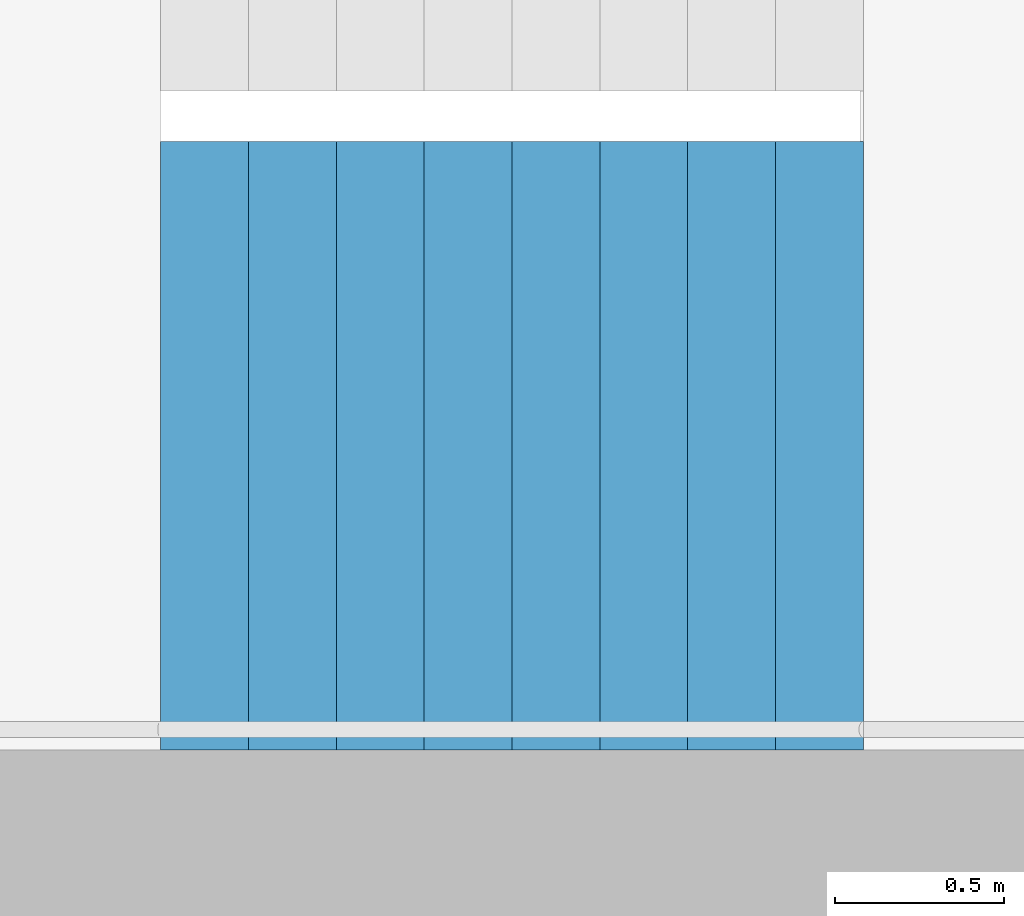
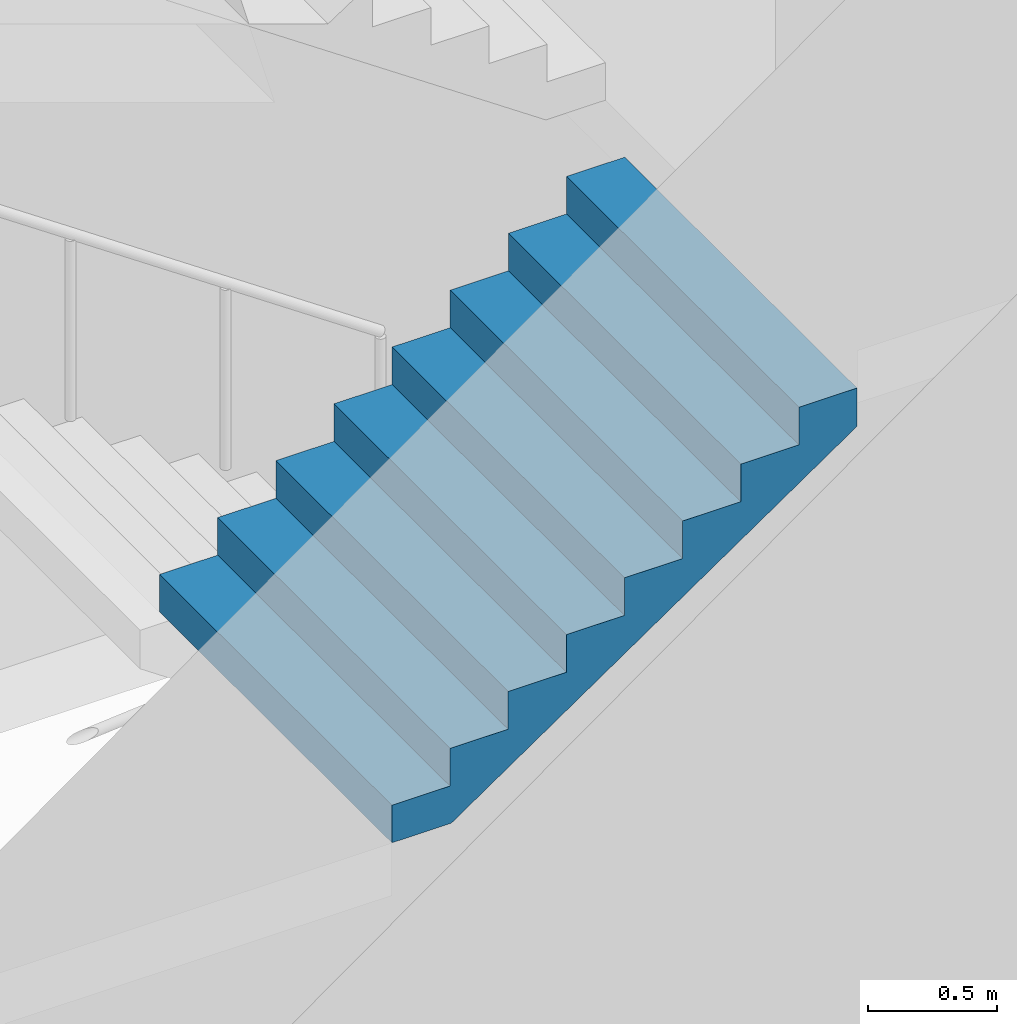
# One storey, part 17 of 44: 1 stair flight, 1 element without a shape of its own.
"""IFC4 building model written with IfcOpenShell, lengths in metres."""

from ifc_helpers import new_model, si_unit, direction, frame, origin, place, context, subcontext, project, spatial, triangles, material, type_object, element, aggregate, save


model = new_model("IFC4")

# Units and contexts
model_context = context("Model", 3, precision=1e-05, world=origin(), true_north=direction((0.0, 1.0)))
body_context = subcontext(model_context, "Body", "Model", "MODEL_VIEW")
ifc_project = project(units=[si_unit("LENGTHUNIT", "METRE"), si_unit("AREAUNIT", "SQUARE_METRE"), si_unit("VOLUMEUNIT", "CUBIC_METRE"), si_unit("PLANEANGLEUNIT", "RADIAN"), si_unit("MASSUNIT", "GRAM", prefix="KILO")], contexts=[model_context])

# Site, building, storey
site_placement = place(None, origin())
site = spatial("IfcSite", under=ifc_project, at=site_placement, CompositionType="ELEMENT")
building_placement = place(site_placement, origin())
building = spatial("IfcBuilding", under=site, at=building_placement, Name="Hakoniwa Tower and Hamabe Station Hall", CompositionType="ELEMENT")
storey_placement = place(building_placement, frame((0.0, 0.0, 69.0)))
storey = spatial("IfcBuildingStorey", under=building, at=storey_placement, Name="L19", CompositionType="ELEMENT", Elevation=69.0)

# Stair, stair flight
ifc_material_1 = material(Name="Concrete C40", Category="concrete")
stair_type = type_object("IfcStairType", Name="ESCAPE STAIR 1800", PredefinedType="HALF_TURN_STAIR", material=ifc_material_1)
stair_placement = place(storey_placement, origin())
stair = element("IfcStair", 1, at=stair_placement, inside=storey, type_object=stair_type, Name="Escape stair ST-2 L19", PredefinedType="HALF_TURN_STAIR")
ifc_material_2 = material(Name="Concrete C40", Category="concrete")
stair_flight_type = type_object("IfcStairFlightType", Name="STAIR FLIGHT 1800", PredefinedType="STRAIGHT", material=ifc_material_2)
stair_flight_placement = place(storey_placement, frame((-25.47998046875, -6.60009765625, 1.60009765625), z_axis=(0.0, 0.0, 1.0), x_axis=(1.0, 0.0, 0.0)))
stair_flight = element("IfcStairFlight", 2, at=stair_flight_placement, type_object=stair_flight_type, Name="ST-2 flight 2", NumberOfRisers=9, NumberOfTreads=8, PredefinedType="STRAIGHT", RiserHeight=0.177777778, TreadLength=0.26, context=body_context, shape_type="Tessellation", body=[
    triangles([(0.0, 0.89990234375, 0.0), (0.260009765625, 0.89990234375, 0.0), (0.265625, 0.89990234375, 0.0), (0.52001953125, 0.89990234375, 0.174072265625), (0.780029296875, 0.89990234375, 0.351806640625), (1.0400390625, 0.89990234375, 0.529541015625), (1.300048828125, 0.89990234375, 0.707275390625), (1.56005859375, 0.89990234375, 0.885009765625), (1.820068359375, 0.89990234375, 1.062744140625), (2.080078125, 0.89990234375, 1.24072265625), (2.080078125, 0.89990234375, 1.422119140625), (1.820068359375, 0.89990234375, 1.422119140625), (1.820068359375, 0.89990234375, 1.244384765625), (1.56005859375, 0.89990234375, 1.244384765625), (1.56005859375, 0.89990234375, 1.066650390625), (1.300048828125, 0.89990234375, 1.066650390625), (1.300048828125, 0.89990234375, 0.888916015625), (1.0400390625, 0.89990234375, 0.888916015625), (1.0400390625, 0.89990234375, 0.711181640625), (0.780029296875, 0.89990234375, 0.711181640625), (0.780029296875, 0.89990234375, 0.533447265625), (0.52001953125, 0.89990234375, 0.533447265625), (0.52001953125, 0.89990234375, 0.35546875), (0.265625, 0.89990234375, 0.35546875), (0.260009765625, 0.89990234375, 0.35546875), (0.260009765625, 0.89990234375, 0.177734375), (0.0, 0.89990234375, 0.177734375), (0.0, 0.06005859375, 0.0), (0.260009765625, 0.06005859375, 0.0), (0.265625, 0.06005859375, 0.0), (0.52001953125, 0.06005859375, 0.174072265625), (0.780029296875, 0.06005859375, 0.351806640625), (1.0400390625, 0.06005859375, 0.529541015625), (1.300048828125, 0.06005859375, 0.707275390625), (1.56005859375, 0.06005859375, 0.885009765625), (1.820068359375, 0.06005859375, 1.062744140625), (2.080078125, 0.06005859375, 1.24072265625), (2.080078125, 0.06005859375, 1.422119140625), (1.820068359375, 0.06005859375, 1.422119140625), (1.820068359375, 0.06005859375, 1.244384765625), (1.56005859375, 0.06005859375, 1.244384765625), (1.56005859375, 0.06005859375, 1.066650390625), (1.300048828125, 0.06005859375, 1.066650390625), (1.300048828125, 0.06005859375, 0.888916015625), (1.0400390625, 0.06005859375, 0.888916015625), (1.0400390625, 0.06005859375, 0.711181640625), (0.780029296875, 0.06005859375, 0.711181640625), (0.780029296875, 0.06005859375, 0.533447265625), (0.52001953125, 0.06005859375, 0.533447265625), (0.52001953125, 0.06005859375, 0.35546875), (0.265625, 0.06005859375, 0.35546875), (0.260009765625, 0.06005859375, 0.35546875), (0.260009765625, 0.06005859375, 0.177734375), (0.0, 0.06005859375, 0.177734375), (0.0, 0.04296875, 0.0), (0.260009765625, 0.04296875, 0.0), (0.265625, 0.04296875, 0.0), (0.52001953125, 0.04296875, 0.174072265625), (0.780029296875, 0.04296875, 0.351806640625), (1.0400390625, 0.04296875, 0.529541015625), (1.300048828125, 0.04296875, 0.707275390625), (1.56005859375, 0.04296875, 0.885009765625), (1.820068359375, 0.04296875, 1.062744140625), (2.080078125, 0.04296875, 1.24072265625), (2.080078125, 0.04296875, 1.422119140625), (1.820068359375, 0.04296875, 1.422119140625), (1.820068359375, 0.04296875, 1.244384765625), (1.56005859375, 0.04296875, 1.244384765625), (1.56005859375, 0.04296875, 1.066650390625), (1.300048828125, 0.04296875, 1.066650390625), (1.300048828125, 0.04296875, 0.888916015625), (1.0400390625, 0.04296875, 0.888916015625), (1.0400390625, 0.04296875, 0.711181640625), (0.780029296875, 0.04296875, 0.711181640625), (0.780029296875, 0.04296875, 0.533447265625), (0.52001953125, 0.04296875, 0.533447265625), (0.52001953125, 0.04296875, 0.35546875), (0.265625, 0.04296875, 0.35546875), (0.260009765625, 0.04296875, 0.35546875), (0.260009765625, 0.04296875, 0.177734375), (0.0, 0.04296875, 0.177734375), (0.0, 0.025634765625, 0.0), (0.260009765625, 0.025634765625, 0.0), (0.265625, 0.025634765625, 0.0), (0.52001953125, 0.025634765625, 0.174072265625), (0.780029296875, 0.025634765625, 0.351806640625), (1.0400390625, 0.025634765625, 0.529541015625), (1.300048828125, 0.025634765625, 0.707275390625), (1.56005859375, 0.025634765625, 0.885009765625), (1.820068359375, 0.025634765625, 1.062744140625), (2.080078125, 0.025634765625, 1.24072265625), (2.080078125, 0.025634765625, 1.422119140625), (1.820068359375, 0.025634765625, 1.422119140625), (1.820068359375, 0.025634765625, 1.244384765625), (1.56005859375, 0.025634765625, 1.244384765625), (1.56005859375, 0.025634765625, 1.066650390625), (1.300048828125, 0.025634765625, 1.066650390625), (1.300048828125, 0.025634765625, 0.888916015625), (1.0400390625, 0.025634765625, 0.888916015625), (1.0400390625, 0.025634765625, 0.711181640625), (0.780029296875, 0.025634765625, 0.711181640625), (0.780029296875, 0.025634765625, 0.533447265625), (0.52001953125, 0.025634765625, 0.533447265625), (0.52001953125, 0.025634765625, 0.35546875), (0.265625, 0.025634765625, 0.35546875), (0.260009765625, 0.025634765625, 0.35546875), (0.260009765625, 0.025634765625, 0.177734375), (0.0, 0.025634765625, 0.177734375), (0.0, 0.008544921875, 0.0), (0.260009765625, 0.008544921875, 0.0), (0.265625, 0.008544921875, 0.0), (0.52001953125, 0.008544921875, 0.174072265625), (0.780029296875, 0.008544921875, 0.351806640625), (1.0400390625, 0.008544921875, 0.529541015625), (1.300048828125, 0.008544921875, 0.707275390625), (1.56005859375, 0.008544921875, 0.885009765625), (1.820068359375, 0.008544921875, 1.062744140625), (2.080078125, 0.008544921875, 1.24072265625), (2.080078125, 0.008544921875, 1.422119140625), (1.820068359375, 0.008544921875, 1.422119140625), (1.820068359375, 0.008544921875, 1.244384765625), (1.56005859375, 0.008544921875, 1.244384765625), (1.56005859375, 0.008544921875, 1.066650390625), (1.300048828125, 0.008544921875, 1.066650390625), (1.300048828125, 0.008544921875, 0.888916015625), (1.0400390625, 0.008544921875, 0.888916015625), (1.0400390625, 0.008544921875, 0.711181640625), (0.780029296875, 0.008544921875, 0.711181640625), (0.780029296875, 0.008544921875, 0.533447265625), (0.52001953125, 0.008544921875, 0.533447265625), (0.52001953125, 0.008544921875, 0.35546875), (0.265625, 0.008544921875, 0.35546875), (0.260009765625, 0.008544921875, 0.35546875), (0.260009765625, 0.008544921875, 0.177734375), (0.0, 0.008544921875, 0.177734375), (0.0, -0.008544921875, 0.0), (0.260009765625, -0.008544921875, 0.0), (0.265625, -0.008544921875, 0.0), (0.52001953125, -0.008544921875, 0.174072265625), (0.780029296875, -0.008544921875, 0.351806640625), (1.0400390625, -0.008544921875, 0.529541015625), (1.300048828125, -0.008544921875, 0.707275390625), (1.56005859375, -0.008544921875, 0.885009765625), (1.820068359375, -0.008544921875, 1.062744140625), (2.080078125, -0.008544921875, 1.24072265625), (2.080078125, -0.008544921875, 1.422119140625), (1.820068359375, -0.008544921875, 1.422119140625), (1.820068359375, -0.008544921875, 1.244384765625), (1.56005859375, -0.008544921875, 1.244384765625), (1.56005859375, -0.008544921875, 1.066650390625), (1.300048828125, -0.008544921875, 1.066650390625), (1.300048828125, -0.008544921875, 0.888916015625), (1.0400390625, -0.008544921875, 0.888916015625), (1.0400390625, -0.008544921875, 0.711181640625), (0.780029296875, -0.008544921875, 0.711181640625), (0.780029296875, -0.008544921875, 0.533447265625), (0.52001953125, -0.008544921875, 0.533447265625), (0.52001953125, -0.008544921875, 0.35546875), (0.265625, -0.008544921875, 0.35546875), (0.260009765625, -0.008544921875, 0.35546875), (0.260009765625, -0.008544921875, 0.177734375), (0.0, -0.008544921875, 0.177734375), (0.0, -0.025634765625, 0.0), (0.260009765625, -0.025634765625, 0.0), (0.265625, -0.025634765625, 0.0), (0.52001953125, -0.025634765625, 0.174072265625), (0.780029296875, -0.025634765625, 0.351806640625), (1.0400390625, -0.025634765625, 0.529541015625), (1.300048828125, -0.025634765625, 0.707275390625), (1.56005859375, -0.025634765625, 0.885009765625), (1.820068359375, -0.025634765625, 1.062744140625), (2.080078125, -0.025634765625, 1.24072265625), (2.080078125, -0.025634765625, 1.422119140625), (1.820068359375, -0.025634765625, 1.422119140625), (1.820068359375, -0.025634765625, 1.244384765625), (1.56005859375, -0.025634765625, 1.244384765625), (1.56005859375, -0.025634765625, 1.066650390625), (1.300048828125, -0.025634765625, 1.066650390625), (1.300048828125, -0.025634765625, 0.888916015625), (1.0400390625, -0.025634765625, 0.888916015625), (1.0400390625, -0.025634765625, 0.711181640625), (0.780029296875, -0.025634765625, 0.711181640625), (0.780029296875, -0.025634765625, 0.533447265625), (0.52001953125, -0.025634765625, 0.533447265625), (0.52001953125, -0.025634765625, 0.35546875), (0.265625, -0.025634765625, 0.35546875), (0.260009765625, -0.025634765625, 0.35546875), (0.260009765625, -0.025634765625, 0.177734375), (0.0, -0.025634765625, 0.177734375), (0.0, -0.04296875, 0.0), (0.260009765625, -0.04296875, 0.0), (0.265625, -0.04296875, 0.0), (0.52001953125, -0.04296875, 0.174072265625), (0.780029296875, -0.04296875, 0.351806640625), (1.0400390625, -0.04296875, 0.529541015625), (1.300048828125, -0.04296875, 0.707275390625), (1.56005859375, -0.04296875, 0.885009765625), (1.820068359375, -0.04296875, 1.062744140625), (2.080078125, -0.04296875, 1.24072265625), (2.080078125, -0.04296875, 1.422119140625), (1.820068359375, -0.04296875, 1.422119140625), (1.820068359375, -0.04296875, 1.244384765625), (1.56005859375, -0.04296875, 1.244384765625), (1.56005859375, -0.04296875, 1.066650390625), (1.300048828125, -0.04296875, 1.066650390625), (1.300048828125, -0.04296875, 0.888916015625), (1.0400390625, -0.04296875, 0.888916015625), (1.0400390625, -0.04296875, 0.711181640625), (0.780029296875, -0.04296875, 0.711181640625), (0.780029296875, -0.04296875, 0.533447265625), (0.52001953125, -0.04296875, 0.533447265625), (0.52001953125, -0.04296875, 0.35546875), (0.265625, -0.04296875, 0.35546875), (0.260009765625, -0.04296875, 0.35546875), (0.260009765625, -0.04296875, 0.177734375), (0.0, -0.04296875, 0.177734375), (0.0, -0.06005859375, 0.0), (0.260009765625, -0.06005859375, 0.0), (0.265625, -0.06005859375, 0.0), (0.52001953125, -0.06005859375, 0.174072265625), (0.780029296875, -0.06005859375, 0.351806640625), (1.0400390625, -0.06005859375, 0.529541015625), (1.300048828125, -0.06005859375, 0.707275390625), (1.56005859375, -0.06005859375, 0.885009765625), (1.820068359375, -0.06005859375, 1.062744140625), (2.080078125, -0.06005859375, 1.24072265625), (2.080078125, -0.06005859375, 1.422119140625), (1.820068359375, -0.06005859375, 1.422119140625), (1.820068359375, -0.06005859375, 1.244384765625), (1.56005859375, -0.06005859375, 1.244384765625), (1.56005859375, -0.06005859375, 1.066650390625), (1.300048828125, -0.06005859375, 1.066650390625), (1.300048828125, -0.06005859375, 0.888916015625), (1.0400390625, -0.06005859375, 0.888916015625), (1.0400390625, -0.06005859375, 0.711181640625), (0.780029296875, -0.06005859375, 0.711181640625), (0.780029296875, -0.06005859375, 0.533447265625), (0.52001953125, -0.06005859375, 0.533447265625), (0.52001953125, -0.06005859375, 0.35546875), (0.265625, -0.06005859375, 0.35546875), (0.260009765625, -0.06005859375, 0.35546875), (0.260009765625, -0.06005859375, 0.177734375), (0.0, -0.06005859375, 0.177734375), (0.0, -0.89990234375, 0.0), (0.260009765625, -0.89990234375, 0.0), (0.265625, -0.89990234375, 0.0), (0.52001953125, -0.89990234375, 0.174072265625), (0.780029296875, -0.89990234375, 0.351806640625), (1.0400390625, -0.89990234375, 0.529541015625), (1.300048828125, -0.89990234375, 0.707275390625), (1.56005859375, -0.89990234375, 0.885009765625), (1.820068359375, -0.89990234375, 1.062744140625), (2.080078125, -0.89990234375, 1.24072265625), (2.080078125, -0.89990234375, 1.422119140625), (1.820068359375, -0.89990234375, 1.422119140625), (1.820068359375, -0.89990234375, 1.244384765625), (1.56005859375, -0.89990234375, 1.244384765625), (1.56005859375, -0.89990234375, 1.066650390625), (1.300048828125, -0.89990234375, 1.066650390625), (1.300048828125, -0.89990234375, 0.888916015625), (1.0400390625, -0.89990234375, 0.888916015625), (1.0400390625, -0.89990234375, 0.711181640625), (0.780029296875, -0.89990234375, 0.711181640625), (0.780029296875, -0.89990234375, 0.533447265625), (0.52001953125, -0.89990234375, 0.533447265625), (0.52001953125, -0.89990234375, 0.35546875), (0.265625, -0.89990234375, 0.35546875), (0.260009765625, -0.89990234375, 0.35546875), (0.260009765625, -0.89990234375, 0.177734375), (0.0, -0.89990234375, 0.177734375)], [[2, 27, 26], [245, 269, 270], [2, 1, 27], [245, 270, 244], [3, 25, 24], [246, 267, 268], [3, 26, 25], [246, 268, 269], [3, 2, 26], [246, 269, 245], [4, 24, 23], [247, 266, 267], [4, 3, 24], [247, 267, 246], [5, 22, 21], [248, 264, 265], [5, 23, 22], [248, 265, 266], [5, 4, 23], [248, 266, 247], [6, 20, 19], [249, 262, 263], [6, 21, 20], [249, 263, 264], [6, 5, 21], [249, 264, 248], [7, 18, 17], [250, 260, 261], [7, 19, 18], [250, 261, 262], [7, 6, 19], [250, 262, 249], [8, 16, 15], [251, 258, 259], [8, 17, 16], [251, 259, 260], [8, 7, 17], [251, 260, 250], [9, 14, 13], [252, 256, 257], [9, 15, 14], [252, 257, 258], [9, 8, 15], [252, 258, 251], [10, 12, 11], [253, 254, 255], [10, 13, 12], [253, 255, 256], [10, 9, 13], [253, 256, 252], [1, 2, 29], [1, 29, 28], [28, 29, 56], [28, 56, 55], [55, 56, 83], [55, 83, 82], [82, 83, 110], [82, 110, 109], [109, 110, 137], [109, 137, 136], [136, 137, 164], [136, 164, 163], [163, 164, 191], [163, 191, 190], [190, 191, 218], [190, 218, 217], [217, 218, 245], [217, 245, 244], [2, 3, 30], [2, 30, 29], [29, 30, 57], [29, 57, 56], [56, 57, 84], [56, 84, 83], [83, 84, 111], [83, 111, 110], [110, 111, 138], [110, 138, 137], [137, 138, 165], [137, 165, 164], [164, 165, 192], [164, 192, 191], [191, 192, 219], [191, 219, 218], [218, 219, 246], [218, 246, 245], [3, 4, 31], [3, 31, 30], [30, 31, 58], [30, 58, 57], [57, 58, 85], [57, 85, 84], [84, 85, 112], [84, 112, 111], [111, 112, 139], [111, 139, 138], [138, 139, 166], [138, 166, 165], [165, 166, 193], [165, 193, 192], [192, 193, 220], [192, 220, 219], [219, 220, 247], [219, 247, 246], [4, 5, 32], [4, 32, 31], [31, 32, 59], [31, 59, 58], [58, 59, 86], [58, 86, 85], [85, 86, 113], [85, 113, 112], [112, 113, 140], [112, 140, 139], [139, 140, 167], [139, 167, 166], [166, 167, 194], [166, 194, 193], [193, 194, 221], [193, 221, 220], [220, 221, 248], [220, 248, 247], [5, 6, 33], [5, 33, 32], [32, 33, 60], [32, 60, 59], [59, 60, 87], [59, 87, 86], [86, 87, 114], [86, 114, 113], [113, 114, 141], [113, 141, 140], [140, 141, 168], [140, 168, 167], [167, 168, 195], [167, 195, 194], [194, 195, 222], [194, 222, 221], [221, 222, 249], [221, 249, 248], [6, 7, 34], [6, 34, 33], [33, 34, 61], [33, 61, 60], [60, 61, 88], [60, 88, 87], [87, 88, 115], [87, 115, 114], [114, 115, 142], [114, 142, 141], [141, 142, 169], [141, 169, 168], [168, 169, 196], [168, 196, 195], [195, 196, 223], [195, 223, 222], [222, 223, 250], [222, 250, 249], [7, 8, 35], [7, 35, 34], [34, 35, 62], [34, 62, 61], [61, 62, 89], [61, 89, 88], [88, 89, 116], [88, 116, 115], [115, 116, 143], [115, 143, 142], [142, 143, 170], [142, 170, 169], [169, 170, 197], [169, 197, 196], [196, 197, 224], [196, 224, 223], [223, 224, 251], [223, 251, 250], [8, 9, 36], [8, 36, 35], [35, 36, 63], [35, 63, 62], [62, 63, 90], [62, 90, 89], [89, 90, 117], [89, 117, 116], [116, 117, 144], [116, 144, 143], [143, 144, 171], [143, 171, 170], [170, 171, 198], [170, 198, 197], [197, 198, 225], [197, 225, 224], [224, 225, 252], [224, 252, 251], [9, 10, 37], [9, 37, 36], [36, 37, 64], [36, 64, 63], [63, 64, 91], [63, 91, 90], [90, 91, 118], [90, 118, 117], [117, 118, 145], [117, 145, 144], [144, 145, 172], [144, 172, 171], [171, 172, 199], [171, 199, 198], [198, 199, 226], [198, 226, 225], [225, 226, 253], [225, 253, 252], [10, 11, 38], [10, 38, 37], [37, 38, 65], [37, 65, 64], [64, 65, 92], [64, 92, 91], [91, 92, 119], [91, 119, 118], [118, 119, 146], [118, 146, 145], [145, 146, 173], [145, 173, 172], [172, 173, 200], [172, 200, 199], [199, 200, 227], [199, 227, 226], [226, 227, 254], [226, 254, 253], [11, 12, 39], [11, 39, 38], [38, 39, 66], [38, 66, 65], [65, 66, 93], [65, 93, 92], [92, 93, 120], [92, 120, 119], [119, 120, 147], [119, 147, 146], [146, 147, 174], [146, 174, 173], [173, 174, 201], [173, 201, 200], [200, 201, 228], [200, 228, 227], [227, 228, 255], [227, 255, 254], [12, 13, 40], [12, 40, 39], [39, 40, 67], [39, 67, 66], [66, 67, 94], [66, 94, 93], [93, 94, 121], [93, 121, 120], [120, 121, 148], [120, 148, 147], [147, 148, 175], [147, 175, 174], [174, 175, 202], [174, 202, 201], [201, 202, 229], [201, 229, 228], [228, 229, 256], [228, 256, 255], [13, 14, 41], [13, 41, 40], [40, 41, 68], [40, 68, 67], [67, 68, 95], [67, 95, 94], [94, 95, 122], [94, 122, 121], [121, 122, 149], [121, 149, 148], [148, 149, 176], [148, 176, 175], [175, 176, 203], [175, 203, 202], [202, 203, 230], [202, 230, 229], [229, 230, 257], [229, 257, 256], [14, 15, 42], [14, 42, 41], [41, 42, 69], [41, 69, 68], [68, 69, 96], [68, 96, 95], [95, 96, 123], [95, 123, 122], [122, 123, 150], [122, 150, 149], [149, 150, 177], [149, 177, 176], [176, 177, 204], [176, 204, 203], [203, 204, 231], [203, 231, 230], [230, 231, 258], [230, 258, 257], [15, 16, 43], [15, 43, 42], [42, 43, 70], [42, 70, 69], [69, 70, 97], [69, 97, 96], [96, 97, 124], [96, 124, 123], [123, 124, 151], [123, 151, 150], [150, 151, 178], [150, 178, 177], [177, 178, 205], [177, 205, 204], [204, 205, 232], [204, 232, 231], [231, 232, 259], [231, 259, 258], [16, 17, 44], [16, 44, 43], [43, 44, 71], [43, 71, 70], [70, 71, 98], [70, 98, 97], [97, 98, 125], [97, 125, 124], [124, 125, 152], [124, 152, 151], [151, 152, 179], [151, 179, 178], [178, 179, 206], [178, 206, 205], [205, 206, 233], [205, 233, 232], [232, 233, 260], [232, 260, 259], [17, 18, 45], [17, 45, 44], [44, 45, 72], [44, 72, 71], [71, 72, 99], [71, 99, 98], [98, 99, 126], [98, 126, 125], [125, 126, 153], [125, 153, 152], [152, 153, 180], [152, 180, 179], [179, 180, 207], [179, 207, 206], [206, 207, 234], [206, 234, 233], [233, 234, 261], [233, 261, 260], [18, 19, 46], [18, 46, 45], [45, 46, 73], [45, 73, 72], [72, 73, 100], [72, 100, 99], [99, 100, 127], [99, 127, 126], [126, 127, 154], [126, 154, 153], [153, 154, 181], [153, 181, 180], [180, 181, 208], [180, 208, 207], [207, 208, 235], [207, 235, 234], [234, 235, 262], [234, 262, 261], [19, 20, 47], [19, 47, 46], [46, 47, 74], [46, 74, 73], [73, 74, 101], [73, 101, 100], [100, 101, 128], [100, 128, 127], [127, 128, 155], [127, 155, 154], [154, 155, 182], [154, 182, 181], [181, 182, 209], [181, 209, 208], [208, 209, 236], [208, 236, 235], [235, 236, 263], [235, 263, 262], [20, 21, 48], [20, 48, 47], [47, 48, 75], [47, 75, 74], [74, 75, 102], [74, 102, 101], [101, 102, 129], [101, 129, 128], [128, 129, 156], [128, 156, 155], [155, 156, 183], [155, 183, 182], [182, 183, 210], [182, 210, 209], [209, 210, 237], [209, 237, 236], [236, 237, 264], [236, 264, 263], [21, 22, 49], [21, 49, 48], [48, 49, 76], [48, 76, 75], [75, 76, 103], [75, 103, 102], [102, 103, 130], [102, 130, 129], [129, 130, 157], [129, 157, 156], [156, 157, 184], [156, 184, 183], [183, 184, 211], [183, 211, 210], [210, 211, 238], [210, 238, 237], [237, 238, 265], [237, 265, 264], [22, 23, 50], [22, 50, 49], [49, 50, 77], [49, 77, 76], [76, 77, 104], [76, 104, 103], [103, 104, 131], [103, 131, 130], [130, 131, 158], [130, 158, 157], [157, 158, 185], [157, 185, 184], [184, 185, 212], [184, 212, 211], [211, 212, 239], [211, 239, 238], [238, 239, 266], [238, 266, 265], [23, 24, 51], [23, 51, 50], [50, 51, 78], [50, 78, 77], [77, 78, 105], [77, 105, 104], [104, 105, 132], [104, 132, 131], [131, 132, 159], [131, 159, 158], [158, 159, 186], [158, 186, 185], [185, 186, 213], [185, 213, 212], [212, 213, 240], [212, 240, 239], [239, 240, 267], [239, 267, 266], [24, 25, 52], [24, 52, 51], [51, 52, 79], [51, 79, 78], [78, 79, 106], [78, 106, 105], [105, 106, 133], [105, 133, 132], [132, 133, 160], [132, 160, 159], [159, 160, 187], [159, 187, 186], [186, 187, 214], [186, 214, 213], [213, 214, 241], [213, 241, 240], [240, 241, 268], [240, 268, 267], [25, 26, 53], [25, 53, 52], [52, 53, 80], [52, 80, 79], [79, 80, 107], [79, 107, 106], [106, 107, 134], [106, 134, 133], [133, 134, 161], [133, 161, 160], [160, 161, 188], [160, 188, 187], [187, 188, 215], [187, 215, 214], [214, 215, 242], [214, 242, 241], [241, 242, 269], [241, 269, 268], [26, 27, 54], [26, 54, 53], [53, 54, 81], [53, 81, 80], [80, 81, 108], [80, 108, 107], [107, 108, 135], [107, 135, 134], [134, 135, 162], [134, 162, 161], [161, 162, 189], [161, 189, 188], [188, 189, 216], [188, 216, 215], [215, 216, 243], [215, 243, 242], [242, 243, 270], [242, 270, 269], [27, 1, 28], [27, 28, 54], [54, 28, 55], [54, 55, 81], [81, 55, 82], [81, 82, 108], [108, 82, 109], [108, 109, 135], [135, 109, 136], [135, 136, 162], [162, 136, 163], [162, 163, 189], [189, 163, 190], [189, 190, 216], [216, 190, 217], [216, 217, 243], [243, 217, 244], [243, 244, 270]], closed=True),
])
aggregate(stair, [stair_flight])

save(model, "model.ifc")
